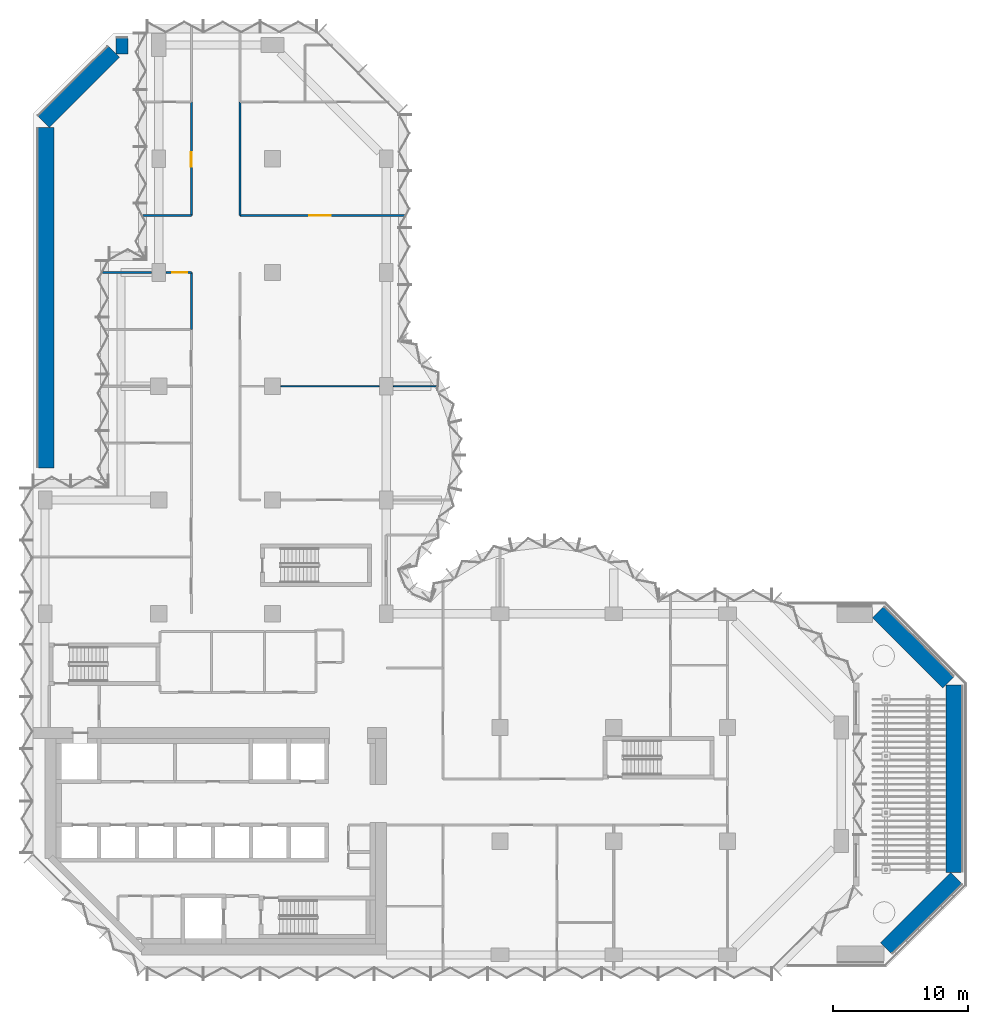
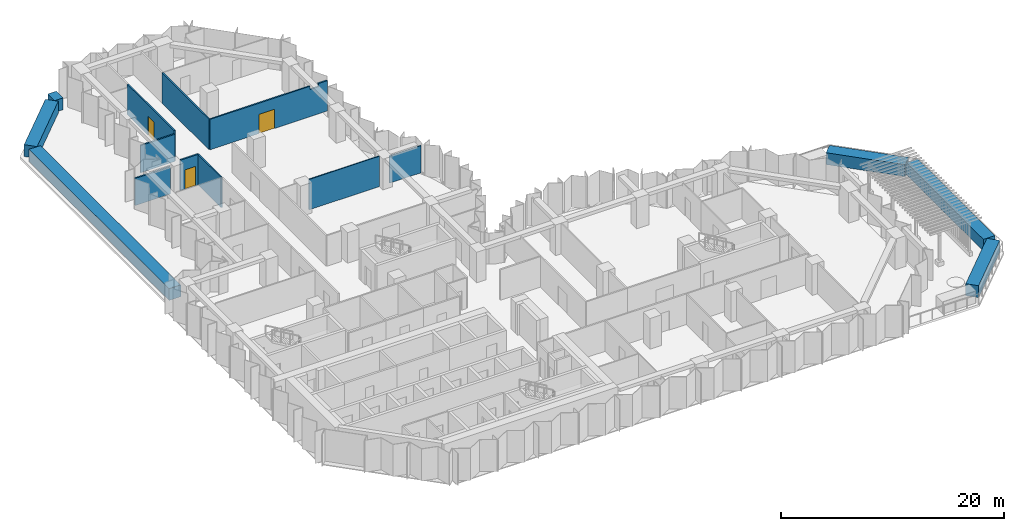
# One storey, part 14 of 18: 15 walls, 3 doors, 3 openings.
"""IFC4 building model written with IfcOpenShell, lengths in metres."""

from ifc_helpers import new_model, si_unit, direction, frame, frame_2d, origin, place, context, subcontext, project, spatial, polyline, rectangle, outline, extrude, material, layer, layer_set, type_object, element, fill, save


model = new_model("IFC4")

# Units and contexts
model_context = context("Model", 3, precision=1e-05, world=origin(), true_north=direction((0.0, 1.0)))
body_context = subcontext(model_context, "Body", "Model", "MODEL_VIEW")
ifc_project = project(units=[si_unit("LENGTHUNIT", "METRE"), si_unit("AREAUNIT", "SQUARE_METRE"), si_unit("VOLUMEUNIT", "CUBIC_METRE"), si_unit("PLANEANGLEUNIT", "RADIAN"), si_unit("MASSUNIT", "GRAM", prefix="KILO")], contexts=[model_context])

# Site, building, storey
site_placement = place(None, origin())
site = spatial("IfcSite", under=ifc_project, at=site_placement, CompositionType="ELEMENT")
building_placement = place(site_placement, origin())
building = spatial("IfcBuilding", under=site, at=building_placement, Name="Brevane Broadcast Tower", CompositionType="ELEMENT")
storey_placement = place(building_placement, frame((0.0, 0.0, 134.89990234375)))
storey = spatial("IfcBuildingStorey", under=building, at=storey_placement, Name="L33", CompositionType="ELEMENT", Elevation=134.89990234375)

# Walls
ifc_material_1 = material(Name="Gypsum board partition")
ifc_layer_1 = layer(ifc_material_1, 0.10009765625)
ifc_layer_set_1 = layer_set([ifc_layer_1], Name="PARTITION 100 STUD")
wall_type_1 = type_object("IfcWallType", Name="PARTITION 100 STUD", PredefinedType="PARTITIONING", material=ifc_layer_set_1)
wall_1_placement = place(storey_placement, frame((17.419921875, 42.0, 0.0), z_axis=(0.0, 0.0, 1.0), x_axis=(1.0, 0.0, 0.0)))
element("IfcWall", 1, at=wall_1_placement, inside=storey, type_object=wall_type_1, Name="Partition G10-063", PredefinedType="PARTITIONING", context=body_context, shape_type="SweptSolid", body=[
    extrude(rectangle(XDim=7.260009765625, YDim=0.10009765625, at=frame_2d((3.6298828125, 0.0))), origin(), (0.0, 0.0, 1.0), 3.330078125),
])
wall_2_placement = place(storey_placement, frame((25.719970703125, 42.0, 0.0), z_axis=(0.0, 0.0, 1.0), x_axis=(1.0, 0.0, 0.0)))
element("IfcWall", 2, at=wall_2_placement, inside=storey, type_object=wall_type_1, Name="Partition G10-064", PredefinedType="PARTITIONING", context=body_context, shape_type="SweptSolid", body=[
    extrude(rectangle(XDim=3.29150390625, YDim=0.10009765625, at=frame_2d((1.645751953125, 0.0))), origin(), (0.0, 0.0, 1.0), 2.97998046875),
])
ifc_layer_2 = layer(ifc_material_1, 0.14990234375)
ifc_layer_set_2 = layer_set([ifc_layer_2], Name="PARTITION 150 EI 60")
wall_type_2 = type_object("IfcWallType", Name="PARTITION 150 EI 60", PredefinedType="PARTITIONING", material=ifc_layer_set_2)
wall_3_placement = place(storey_placement, frame((10.800048828125, 46.199951171875, 0.0), z_axis=(0.0, 0.0, 1.0), x_axis=(0.0, 1.0, 0.0)))
element("IfcWall", 3, at=wall_3_placement, inside=storey, type_object=wall_type_2, Name="Partition G10-045", PredefinedType="PARTITIONING", context=body_context, shape_type="SweptSolid", body=[
    extrude(rectangle(XDim=4.199951171875, YDim=0.14990234375, at=frame_2d((2.10009765625, 0.0))), origin(), (0.0, 0.0, 1.0), 3.330078125),
])

# Wall, opening, door
wall_4_placement = place(storey_placement, frame((10.800048828125, 54.60009765625, 0.0), z_axis=(0.0, 0.0, 1.0), x_axis=(0.0, 1.0, 0.0)))
wall_4 = element("IfcWall", 4, at=wall_4_placement, inside=storey, type_object=wall_type_2, Name="Partition G10-046", PredefinedType="PARTITIONING", context=body_context, shape_type="SweptSolid", body=[
    extrude(rectangle(XDim=8.39990234375, YDim=0.14990234375, at=frame_2d((4.199951171875, 0.0))), origin(), (0.0, 0.0, 1.0), 3.330078125),
])
opening_1_placement = place(wall_4_placement, frame((3.60009765625, 0.0, 0.0)))
opening_1 = element("IfcOpeningElement", 5, at=opening_1_placement, cuts=wall_4, Name="Opening D17-018", PredefinedType="OPENING", context=body_context, shape_type="SweptSolid", body=[
    extrude(rectangle(XDim=1.10009765625, YDim=2.10009765625, at=frame_2d((0.550048828125, 1.050048828125))), frame((0.0, 0.0849609375, 0.0), z_axis=(0.0, -1.0, 0.0), x_axis=(1.0, 0.0, 0.0)), (0.0, 0.0, 1.0), 0.169921875),
])
ifc_material_2 = material(Name="Fire-rated timber door leaf", Category="wood")
door_type_1 = type_object("IfcDoorType", Name="DOOR SINGLE 1100 FD30S", OperationType="SINGLE_SWING_LEFT", PredefinedType="DOOR", material=ifc_material_2)
door_1_placement = place(opening_1_placement, origin())
door_1 = element("IfcDoor", 6, at=door_1_placement, inside=storey, type_object=door_type_1, Name="Door D17-018", OperationType="SINGLE_SWING_LEFT", OverallHeight=2.10009765625, OverallWidth=1.10009765625, PredefinedType="DOOR", context=body_context, shape_type="SweptSolid", body=[
    extrude(rectangle(XDim=1.10009765625, YDim=2.10009765625, at=frame_2d((0.550048828125, 1.050048828125))), frame((0.0, 0.02490234375, 0.0), z_axis=(0.0, -1.0, 0.0), x_axis=(1.0, 0.0, 0.0)), (0.0, 0.0, 1.0), 0.050048828125),
])
fill(opening_1, door_1)

# Wall
wall_5_placement = place(storey_placement, frame((14.39990234375, 63.0, 0.0), z_axis=(0.0, 0.0, 1.0), x_axis=(0.0, -1.0, 0.0)))
element("IfcWall", 7, at=wall_5_placement, inside=storey, type_object=wall_type_2, Name="Partition G10-050", PredefinedType="PARTITIONING", context=body_context, shape_type="SweptSolid", body=[
    extrude(rectangle(XDim=8.39990234375, YDim=0.14990234375, at=frame_2d((4.199951171875, 0.0))), origin(), (0.0, 0.0, 1.0), 3.330078125),
])

# Wall, opening, door
wall_6_placement = place(storey_placement, frame((10.800048828125, 50.39990234375, 0.0), z_axis=(0.0, 0.0, 1.0), x_axis=(-1.0, 0.0, 0.0)))
wall_6 = element("IfcWall", 8, at=wall_6_placement, inside=storey, type_object=wall_type_2, Name="Partition G10-052", PredefinedType="PARTITIONING", context=body_context, shape_type="SweptSolid", body=[
    extrude(rectangle(XDim=1.880126953125, YDim=0.14990234375, at=frame_2d((0.93994140625, 0.0))), origin(), (0.0, 0.0, 1.0), 3.330078125),
])
opening_2_placement = place(wall_6_placement, frame((0.300048828125, 0.0, 0.0)))
opening_2 = element("IfcOpeningElement", 9, at=opening_2_placement, cuts=wall_6, Name="Opening D17-017", PredefinedType="OPENING", context=body_context, shape_type="SweptSolid", body=[
    extrude(rectangle(XDim=1.10009765625, YDim=2.10009765625, at=frame_2d((0.550048828125, 1.050048828125))), frame((0.0, 0.0849609375, 0.0), z_axis=(0.0, -1.0, 0.0), x_axis=(1.0, 0.0, 0.0)), (0.0, 0.0, 1.0), 0.169921875),
])
door_2_placement = place(opening_2_placement, origin())
door_2 = element("IfcDoor", 10, at=door_2_placement, inside=storey, type_object=door_type_1, Name="Door D17-017", OperationType="SINGLE_SWING_LEFT", OverallHeight=2.10009765625, OverallWidth=1.10009765625, PredefinedType="DOOR", context=body_context, shape_type="SweptSolid", body=[
    extrude(rectangle(XDim=1.10009765625, YDim=2.10009765625, at=frame_2d((0.550048828125, 1.050048828125))), frame((0.0, 0.02490234375, 0.0), z_axis=(0.0, -1.0, 0.0), x_axis=(1.0, 0.0, 0.0)), (0.0, 0.0, 1.0), 0.050048828125),
])
fill(opening_2, door_2)

# Walls
wall_7_placement = place(storey_placement, frame((7.8798828125, 50.39990234375, 0.0), z_axis=(0.0, 0.0, 1.0), x_axis=(-1.0, 0.0, 0.0)))
element("IfcWall", 11, at=wall_7_placement, inside=storey, type_object=wall_type_2, Name="Partition G10-053", PredefinedType="PARTITIONING", context=body_context, shape_type="SweptSolid", body=[
    extrude(rectangle(XDim=3.644775390625, YDim=0.14990234375, at=frame_2d((1.822265625, 0.0))), origin(), (0.0, 0.0, 1.0), 2.97998046875),
])
wall_8_placement = place(storey_placement, frame((7.22607421875, 54.60009765625, 0.0), z_axis=(0.0, 0.0, 1.0), x_axis=(1.0, 0.0, 0.0)))
element("IfcWall", 12, at=wall_8_placement, inside=storey, type_object=wall_type_2, Name="Partition G10-054", PredefinedType="PARTITIONING", context=body_context, shape_type="SweptSolid", body=[
    extrude(rectangle(XDim=3.573974609375, YDim=0.14990234375, at=frame_2d((1.787109375, 0.0))), origin(), (0.0, 0.0, 1.0), 2.97998046875),
])

# Wall, opening, door
wall_9_placement = place(storey_placement, frame((14.39990234375, 54.60009765625, 0.0), z_axis=(0.0, 0.0, 1.0), x_axis=(1.0, 0.0, 0.0)))
wall_9 = element("IfcWall", 13, at=wall_9_placement, inside=storey, type_object=wall_type_2, Name="Partition G10-061", PredefinedType="PARTITIONING", context=body_context, shape_type="SweptSolid", body=[
    extrude(outline(polyline([(0.0, 0.0), (12.1650390625, 0.0), (12.1650390625, 3.330078125), (11.89990234375, 3.330078125), (11.25, 3.330078125), (11.248046875, 2.97998046875), (10.35205078125, 2.97998046875), (10.35009765625, 3.330078125), (0.0, 3.330078125), (0.0, 0.0)])), frame((0.0, 0.074951171875, 0.0), z_axis=(0.0, -1.0, 0.0), x_axis=(1.0, 0.0, 0.0)), (0.0, 0.0, 1.0), 0.14990234375),
])
opening_3_placement = place(wall_9_placement, frame((5.10009765625, 0.0, 0.0)))
opening_3 = element("IfcOpeningElement", 14, at=opening_3_placement, cuts=wall_9, Name="Opening D17-022", PredefinedType="OPENING", context=body_context, shape_type="SweptSolid", body=[
    extrude(rectangle(XDim=1.60009765625, YDim=2.10009765625, at=frame_2d((0.800048828125, 1.050048828125))), frame((0.0, 0.0849609375, 0.0), z_axis=(0.0, -1.0, 0.0), x_axis=(1.0, 0.0, 0.0)), (0.0, 0.0, 1.0), 0.169921875),
])
door_type_2 = type_object("IfcDoorType", Name="DOOR DOUBLE 1600 FD30S", OperationType="DOUBLE_DOOR_SINGLE_SWING", PredefinedType="DOOR", material=ifc_material_2)
door_3_placement = place(opening_3_placement, origin())
door_3 = element("IfcDoor", 15, at=door_3_placement, inside=storey, type_object=door_type_2, Name="Door D17-022", OperationType="DOUBLE_DOOR_SINGLE_SWING", OverallHeight=2.10009765625, OverallWidth=1.60009765625, PredefinedType="DOOR", context=body_context, shape_type="SweptSolid", body=[
    extrude(rectangle(XDim=1.60009765625, YDim=2.10009765625, at=frame_2d((0.800048828125, 1.050048828125))), frame((0.0, 0.02490234375, 0.0), z_axis=(0.0, -1.0, 0.0), x_axis=(1.0, 0.0, 0.0)), (0.0, 0.0, 1.0), 0.050048828125),
])
fill(opening_3, door_3)

# Walls
ifc_material_3 = material(Name="Concrete C30/37", Category="concrete")
ifc_layer_3 = layer(ifc_material_3, 1.199951171875)
ifc_layer_set_3 = layer_set([ifc_layer_3], Name="Planter wall 1200")
wall_type_3 = type_object("IfcWallType", Name="Planter wall 1200", PredefinedType="PARAPET", material=ifc_layer_set_3)
wall_10_placement = place(storey_placement, frame((62.130859375, 0.474365234375, 0.0), z_axis=(0.0, 0.0, 1.0), x_axis=(0.707106781187, 0.707106781187, 0.0)))
element("IfcWall", 16, at=wall_10_placement, inside=storey, type_object=wall_type_3, Name="Planting bed L33-3", PredefinedType="PARAPET", context=body_context, shape_type="SweptSolid", body=[
    extrude(rectangle(XDim=7.3466796875, YDim=1.199951171875, at=frame_2d((3.67333984375, 0.0))), origin(), (0.0, 0.0, 1.0), 1.300048828125),
])
wall_11_placement = place(storey_placement, frame((67.14990234375, 6.093505859375, 0.0), z_axis=(0.0, 0.0, 1.0), x_axis=(0.0, 1.0, 0.0)))
element("IfcWall", 17, at=wall_11_placement, inside=storey, type_object=wall_type_3, Name="Planting bed L33-4", PredefinedType="PARAPET", context=body_context, shape_type="SweptSolid", body=[
    extrude(rectangle(XDim=13.861572265625, YDim=1.199951171875, at=frame_2d((6.9306640625, 0.0))), origin(), (0.0, 0.0, 1.0), 1.300048828125),
])
wall_12_placement = place(storey_placement, frame((66.7255859375, 20.130859375, 0.0), z_axis=(0.0, 0.0, 1.0), x_axis=(-0.707106781187, 0.707106781187, 0.0)))
element("IfcWall", 18, at=wall_12_placement, inside=storey, type_object=wall_type_3, Name="Planting bed L33-5", PredefinedType="PARAPET", context=body_context, shape_type="SweptSolid", body=[
    extrude(rectangle(XDim=7.3466796875, YDim=1.199951171875, at=frame_2d((3.67333984375, 0.0))), origin(), (0.0, 0.0, 1.0), 1.300048828125),
])
wall_13_placement = place(storey_placement, frame((0.050048828125, 61.1064453125, 0.0), z_axis=(0.0, 0.0, 1.0), x_axis=(0.0, -1.0, 0.0)))
element("IfcWall", 19, at=wall_13_placement, inside=storey, type_object=wall_type_3, Name="Planting bed L33-1", PredefinedType="PARAPET", context=body_context, shape_type="SweptSolid", body=[
    extrude(rectangle(XDim=25.1611328125, YDim=1.199951171875, at=frame_2d((12.58056640625, 0.0))), origin(), (0.0, 0.0, 1.0), 1.300048828125),
])
wall_14_placement = place(storey_placement, frame((6.12744140625, 67.14990234375, 0.0), z_axis=(0.0, 0.0, 1.0), x_axis=(-1.0, 0.0, 0.0)))
element("IfcWall", 20, at=wall_14_placement, inside=storey, type_object=wall_type_3, Name="Planting bed L33-2", PredefinedType="PARAPET", context=body_context, shape_type="SweptSolid", body=[
    extrude(rectangle(XDim=0.88232421875, YDim=1.199951171875, at=frame_2d((0.441162109375, 0.0))), origin(), (0.0, 0.0, 1.0), 1.300048828125),
])
wall_15_placement = place(storey_placement, frame((5.069091796875, 66.7255859375, 0.0), z_axis=(0.0, 0.0, 1.0), x_axis=(-0.707106781187, -0.707106781187, 0.0)))
element("IfcWall", 21, at=wall_15_placement, inside=storey, type_object=wall_type_3, Name="Planting bed L33-3", PredefinedType="PARAPET", context=body_context, shape_type="SweptSolid", body=[
    extrude(rectangle(XDim=7.3466796875, YDim=1.199951171875, at=frame_2d((3.67333984375, 0.0))), origin(), (0.0, 0.0, 1.0), 1.300048828125),
])

save(model, "model.ifc")
